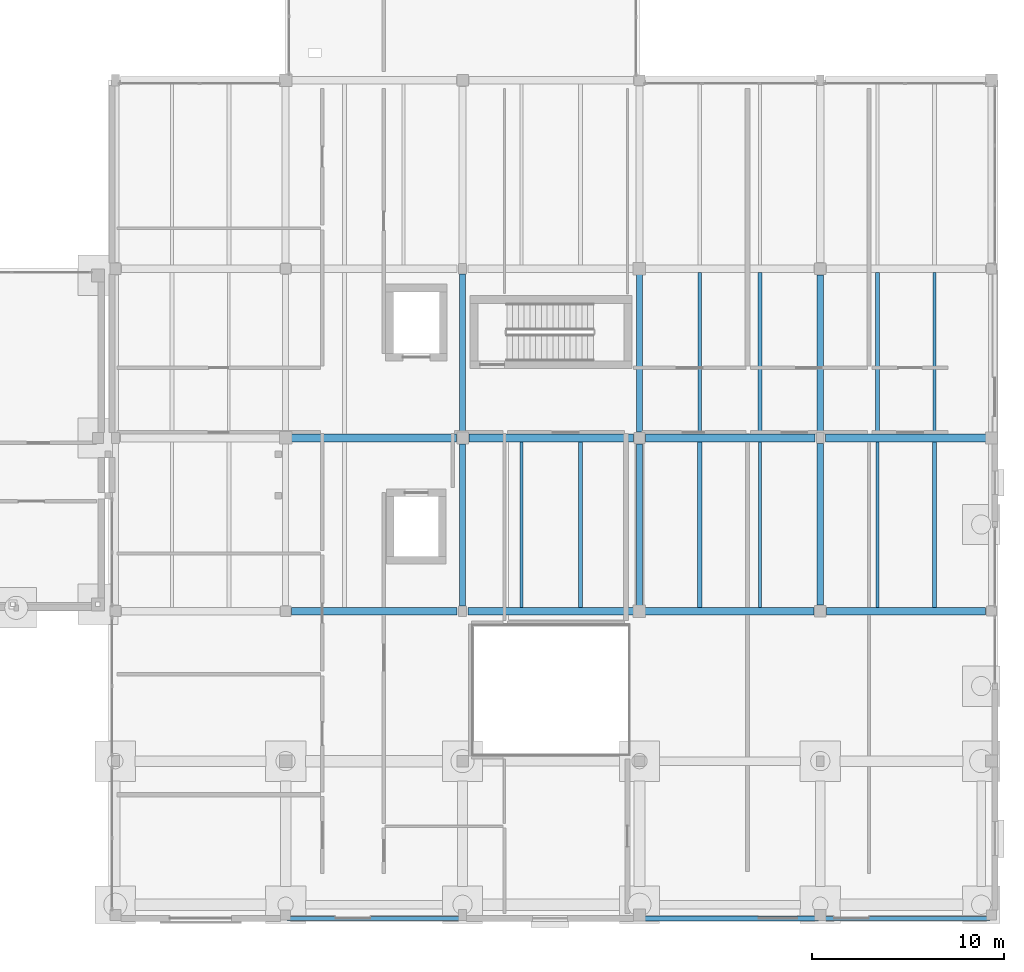
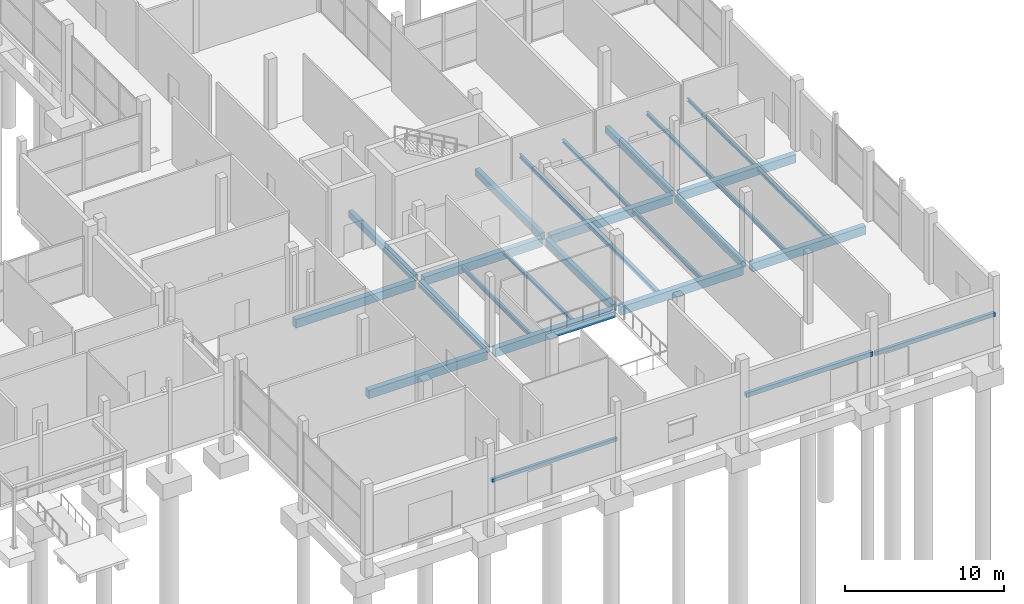
# One storey, part 40 of 88: 27 beams.
"""IFC4 building model written with IfcOpenShell, lengths in metres."""

from ifc_helpers import new_model, si_unit, direction, frame, origin, origin_2d, place, context, subcontext, project, spatial, rectangle, i_section, extrude, material, material_profile, profile_set, type_object, element, save


model = new_model("IFC4")

# Units and contexts
model_context = context("Model", 3, precision=1e-05, world=origin(), true_north=direction((0.0, 1.0)))
body_context = subcontext(model_context, "Body", "Model", "MODEL_VIEW")
ifc_project = project(units=[si_unit("LENGTHUNIT", "METRE"), si_unit("AREAUNIT", "SQUARE_METRE"), si_unit("VOLUMEUNIT", "CUBIC_METRE"), si_unit("PLANEANGLEUNIT", "RADIAN"), si_unit("MASSUNIT", "GRAM", prefix="KILO")], contexts=[model_context])

# Site, building, storey
site_placement = place(None, origin())
site = spatial("IfcSite", under=ifc_project, at=site_placement, CompositionType="ELEMENT")
building_placement = place(site_placement, origin())
building = spatial("IfcBuilding", under=site, at=building_placement, Name="Birchvale Park Specialist Clinic", CompositionType="ELEMENT")
storey_placement = place(building_placement, origin())
storey = spatial("IfcBuildingStorey", under=building, at=storey_placement, Name="L00", CompositionType="ELEMENT", Elevation=0.0)

# Beams
ifc_material_1 = material(Name="Concrete C40/50", Category="concrete")
ifc_material_profile_1 = material_profile(ifc_material_1, rectangle(XDim=0.320068359375, YDim=0.5400390625, at=origin_2d()), Name="RCB-320x540")
ifc_profile_set_1 = profile_set([ifc_material_profile_1], Name="Concrete C40/50")
beam_type_1 = type_object("IfcBeamType", Name="BM-EXT-BG7", PredefinedType="BEAM", material=ifc_profile_set_1)
beam_1_placement = place(storey_placement, frame((146.39990234375, 17.074951171875, -0.570068359375), z_axis=(0.0, 1.0, 0.0), x_axis=(-1.0, 0.0, 0.0)))
element("IfcBeam", 1, at=beam_1_placement, inside=storey, type_object=beam_type_1, Name="V5 L00 Y girder 30", PredefinedType="BEAM", context=body_context, shape_type="SweptSolid", body=[
    extrude(rectangle(XDim=0.320068359375, YDim=0.5400390625, at=origin_2d()), origin(), (0.0, 0.0, 1.0), 8.425048828125),
])
beam_2_placement = place(storey_placement, frame((146.39990234375, 26.10009765625, -0.570068359375), z_axis=(0.0, 1.0, 0.0), x_axis=(-1.0, 0.0, 0.0)))
element("IfcBeam", 2, at=beam_2_placement, inside=storey, type_object=beam_type_1, Name="V5 L00 Y girder 31", PredefinedType="BEAM", context=body_context, shape_type="SweptSolid", body=[
    extrude(rectangle(XDim=0.320068359375, YDim=0.5400390625, at=origin_2d()), origin(), (0.0, 0.0, 1.0), 8.224853515625),
])
ifc_material_profile_2 = material_profile(ifc_material_1, rectangle(XDim=0.39990234375, YDim=0.64990234375, at=origin_2d()), Name="RCB-400x650")
ifc_profile_set_2 = profile_set([ifc_material_profile_2], Name="Concrete C40/50")
beam_type_2 = type_object("IfcBeamType", Name="BM-INT-BG4", PredefinedType="BEAM", material=ifc_profile_set_2)
beam_3_placement = place(storey_placement, frame((128.300048828125, 16.800048828125, -0.625), z_axis=(1.0, 0.0, 0.0), x_axis=(0.0, 1.0, 0.0)))
element("IfcBeam", 3, at=beam_3_placement, inside=storey, type_object=beam_type_2, Name="V5 L00 X girder 2", PredefinedType="BEAM", context=body_context, shape_type="SweptSolid", body=[
    extrude(rectangle(XDim=0.39990234375, YDim=0.64990234375, at=origin_2d()), origin(), (0.0, 0.0, 1.0), 8.625),
])
beam_4_placement = place(storey_placement, frame((137.47509765625, 16.800048828125, -0.625), z_axis=(1.0, 0.0, 0.0), x_axis=(0.0, 1.0, 0.0)))
element("IfcBeam", 4, at=beam_4_placement, inside=storey, type_object=beam_type_2, Name="V5 L00 X girder 3", PredefinedType="BEAM", context=body_context, shape_type="SweptSolid", body=[
    extrude(rectangle(XDim=0.39990234375, YDim=0.64990234375, at=origin_2d()), origin(), (0.0, 0.0, 1.0), 8.724853515625),
])
beam_5_placement = place(storey_placement, frame((146.60009765625, 16.800048828125, -0.625), z_axis=(1.0, 0.0, 0.0), x_axis=(0.0, 1.0, 0.0)))
element("IfcBeam", 5, at=beam_5_placement, inside=storey, type_object=beam_type_2, Name="V5 L00 X girder 4", PredefinedType="BEAM", context=body_context, shape_type="SweptSolid", body=[
    extrude(rectangle(XDim=0.39990234375, YDim=0.64990234375, at=origin_2d()), origin(), (0.0, 0.0, 1.0), 8.875),
])
beam_6_placement = place(storey_placement, frame((156.125, 16.800048828125, -0.625), z_axis=(1.0, 0.0, 0.0), x_axis=(0.0, 1.0, 0.0)))
element("IfcBeam", 6, at=beam_6_placement, inside=storey, type_object=beam_type_2, Name="V5 L00 X girder 5", PredefinedType="BEAM", context=body_context, shape_type="SweptSolid", body=[
    extrude(rectangle(XDim=0.39990234375, YDim=0.64990234375, at=origin_2d()), origin(), (0.0, 0.0, 1.0), 8.27490234375),
])
beam_7_placement = place(storey_placement, frame((128.199951171875, 25.800048828125, -0.625), z_axis=(1.0, 0.0, 0.0), x_axis=(0.0, 1.0, 0.0)))
element("IfcBeam", 7, at=beam_7_placement, inside=storey, type_object=beam_type_2, Name="V5 L00 X girder 7", PredefinedType="BEAM", context=body_context, shape_type="SweptSolid", body=[
    extrude(rectangle(XDim=0.39990234375, YDim=0.64990234375, at=origin_2d()), origin(), (0.0, 0.0, 1.0), 8.675048828125),
])
beam_8_placement = place(storey_placement, frame((137.52490234375, 25.800048828125, -0.625), z_axis=(1.0, 0.0, 0.0), x_axis=(0.0, 1.0, 0.0)))
element("IfcBeam", 8, at=beam_8_placement, inside=storey, type_object=beam_type_2, Name="V5 L00 X girder 8", PredefinedType="BEAM", context=body_context, shape_type="SweptSolid", body=[
    extrude(rectangle(XDim=0.39990234375, YDim=0.64990234375, at=origin_2d()), origin(), (0.0, 0.0, 1.0), 8.5751953125),
])
beam_9_placement = place(storey_placement, frame((146.699951171875, 25.800048828125, -0.625), z_axis=(1.0, 0.0, 0.0), x_axis=(0.0, 1.0, 0.0)))
element("IfcBeam", 9, at=beam_9_placement, inside=storey, type_object=beam_type_2, Name="V5 L00 X girder 9", PredefinedType="BEAM", context=body_context, shape_type="SweptSolid", body=[
    extrude(rectangle(XDim=0.39990234375, YDim=0.64990234375, at=origin_2d()), origin(), (0.0, 0.0, 1.0), 8.824951171875),
])
beam_10_placement = place(storey_placement, frame((156.074951171875, 25.800048828125, -0.625), z_axis=(1.0, 0.0, 0.0), x_axis=(0.0, 1.0, 0.0)))
element("IfcBeam", 10, at=beam_10_placement, inside=storey, type_object=beam_type_2, Name="V5 L00 X girder 10", PredefinedType="BEAM", context=body_context, shape_type="SweptSolid", body=[
    extrude(rectangle(XDim=0.39990234375, YDim=0.64990234375, at=origin_2d()), origin(), (0.0, 0.0, 1.0), 8.425048828125),
])
ifc_material_profile_3 = material_profile(ifc_material_1, rectangle(XDim=0.320068359375, YDim=0.5, at=origin_2d()), Name="RCB-320x500")
ifc_profile_set_3 = profile_set([ifc_material_profile_3], Name="Concrete C40/50")
beam_type_3 = type_object("IfcBeamType", Name="BM-INT-BG7", PredefinedType="BEAM", material=ifc_profile_set_3)
beam_11_placement = place(storey_placement, frame((137.199951171875, 17.074951171875, -0.550048828125), z_axis=(0.0, 1.0, 0.0), x_axis=(-1.0, 0.0, 0.0)))
element("IfcBeam", 11, at=beam_11_placement, inside=storey, type_object=beam_type_3, Name="V5 L00 Y girder 27", PredefinedType="BEAM", context=body_context, shape_type="SweptSolid", body=[
    extrude(rectangle(XDim=0.320068359375, YDim=0.5, at=origin_2d()), origin(), (0.0, 0.0, 1.0), 8.400146484375),
])
beam_12_placement = place(storey_placement, frame((137.199951171875, 26.125, -0.550048828125), z_axis=(0.0, 1.0, 0.0), x_axis=(-1.0, 0.0, 0.0)))
element("IfcBeam", 12, at=beam_12_placement, inside=storey, type_object=beam_type_3, Name="V5 L00 Y girder 28", PredefinedType="BEAM", context=body_context, shape_type="SweptSolid", body=[
    extrude(rectangle(XDim=0.320068359375, YDim=0.5, at=origin_2d()), origin(), (0.0, 0.0, 1.0), 8.199951171875),
])
beam_13_placement = place(storey_placement, frame((155.800048828125, 17.125, -0.550048828125), z_axis=(0.0, 1.0, 0.0), x_axis=(-1.0, 0.0, 0.0)))
element("IfcBeam", 13, at=beam_13_placement, inside=storey, type_object=beam_type_3, Name="V5 L00 Y girder 33", PredefinedType="BEAM", context=body_context, shape_type="SweptSolid", body=[
    extrude(rectangle(XDim=0.320068359375, YDim=0.5, at=origin_2d()), origin(), (0.0, 0.0, 1.0), 8.39990234375),
])
beam_14_placement = place(storey_placement, frame((155.800048828125, 26.074951171875, -0.550048828125), z_axis=(0.0, 1.0, 0.0), x_axis=(-1.0, 0.0, 0.0)))
element("IfcBeam", 14, at=beam_14_placement, inside=storey, type_object=beam_type_3, Name="V5 L00 Y girder 34", PredefinedType="BEAM", context=body_context, shape_type="SweptSolid", body=[
    extrude(rectangle(XDim=0.320068359375, YDim=0.5, at=origin_2d()), origin(), (0.0, 0.0, 1.0), 8.199951171875),
])
ifc_material_profile_4 = material_profile(ifc_material_1, rectangle(XDim=0.25, YDim=0.340087890625, at=origin_2d()), Name="LNT-250x340")
ifc_profile_set_4 = profile_set([ifc_material_profile_4], Name="Concrete C40/50")
beam_type_4 = type_object("IfcBeamType", Name="LNT-EXT-LN1", PredefinedType="LINTEL", material=ifc_profile_set_4)
beam_15_placement = place(storey_placement, frame((146.530029296875, 0.824951171875, 2.570068359375), z_axis=(1.0, 0.0, 0.0), x_axis=(0.0, 1.0, 0.0)))
element("IfcBeam", 15, at=beam_15_placement, inside=storey, type_object=beam_type_4, Name="V5 L00 exit opening lintel 20", PredefinedType="LINTEL", context=body_context, shape_type="SweptSolid", body=[
    extrude(rectangle(XDim=0.25, YDim=0.340087890625, at=origin_2d()), origin(), (0.0, 0.0, 1.0), 9.1650390625),
])
ifc_material_profile_5 = material_profile(ifc_material_1, rectangle(XDim=0.219970703125, YDim=0.300048828125, at=origin_2d()), Name="LNT-220x300")
ifc_profile_set_5 = profile_set([ifc_material_profile_5], Name="Concrete C40/50")
beam_type_5 = type_object("IfcBeamType", Name="LNT-EXT-LN2", PredefinedType="LINTEL", material=ifc_profile_set_5)
beam_16_placement = place(storey_placement, frame((155.905029296875, 0.824951171875, 2.469970703125), z_axis=(1.0, 0.0, 0.0), x_axis=(0.0, 1.0, 0.0)))
element("IfcBeam", 16, at=beam_16_placement, inside=storey, type_object=beam_type_5, Name="V5 L00 exit opening lintel 21", PredefinedType="LINTEL", context=body_context, shape_type="SweptSolid", body=[
    extrude(rectangle(XDim=0.219970703125, YDim=0.300048828125, at=origin_2d()), origin(), (0.0, 0.0, 1.0), 8.715087890625),
])
ifc_material_profile_6 = material_profile(ifc_material_1, rectangle(XDim=0.199951171875, YDim=0.260009765625, at=origin_2d()), Name="LNT-200x260")
ifc_profile_set_6 = profile_set([ifc_material_profile_6], Name="Concrete C40/50")
beam_type_6 = type_object("IfcBeamType", Name="LNT-EXT-LN3", PredefinedType="LINTEL", material=ifc_profile_set_6)
beam_17_placement = place(storey_placement, frame((128.080078125, 0.824951171875, 2.469970703125), z_axis=(1.0, 0.0, 0.0), x_axis=(0.0, 1.0, 0.0)))
element("IfcBeam", 17, at=beam_17_placement, inside=storey, type_object=beam_type_6, Name="V5 L00 exit opening lintel 19", PredefinedType="LINTEL", context=body_context, shape_type="SweptSolid", body=[
    extrude(rectangle(XDim=0.199951171875, YDim=0.260009765625, at=origin_2d()), origin(), (0.0, 0.0, 1.0), 9.094970703125),
])
ifc_material_2 = material(Name="Steel ASTM A992 Grade 50", Category="steel")
ifc_material_profile_7 = material_profile(ifc_material_2, i_section(OverallWidth=0.25390625, OverallDepth=0.305908203125, WebThickness=0.0087890625, FlangeThickness=0.0146484375, at=origin_2d()), Name="W12X53")
ifc_profile_set_7 = profile_set([ifc_material_profile_7], Name="Steel ASTM A992 Grade 50")
beam_type_7 = type_object("IfcBeamType", Name="STL-INT-SJ2", PredefinedType="JOIST", material=ifc_profile_set_7)
beam_18_placement = place(storey_placement, frame((149.533203125, 17.0, -0.452880859375), z_axis=(0.0, 1.0, 0.0), x_axis=(-1.0, 0.0, 0.0)))
element("IfcBeam", 18, at=beam_18_placement, inside=storey, type_object=beam_type_7, Name="V5 L00 secondary floor joist 15", PredefinedType="JOIST", context=body_context, shape_type="SweptSolid", body=[
    extrude(i_section(OverallWidth=0.25390625, OverallDepth=0.305908203125, WebThickness=0.0087890625, FlangeThickness=0.0146484375, at=origin_2d()), origin(), (0.0, 0.0, 1.0), 8.60009765625),
])
ifc_material_profile_8 = material_profile(ifc_material_2, i_section(OverallWidth=0.1669921875, OverallDepth=0.31689453125, WebThickness=0.007568359375, FlangeThickness=0.01318359375, at=origin_2d()), Name="W12X35")
ifc_profile_set_8 = profile_set([ifc_material_profile_8], Name="Steel ASTM A992 Grade 50")
beam_type_8 = type_object("IfcBeamType", Name="STL-INT-SJ3", PredefinedType="JOIST", material=ifc_profile_set_8)
for number, where, z_axis, x_axis, name in (
    (19, (140.2666015625, 17.0, -0.45849609375), (0.0, 1.0, 0.0), (-1.0, 0.0, 0.0), "V5 L00 secondary floor joist 11"),
    (20, (152.666748046875, 17.0, -0.45849609375), (0.0, 1.0, 0.0), (-1.0, 0.0, 0.0), "V5 L00 secondary floor joist 16"),
):
    element("IfcBeam", number, at=place(storey_placement, frame(where, z_axis=z_axis, x_axis=x_axis)), inside=storey, type_object=beam_type_8, Name=name, PredefinedType="JOIST", context=body_context, shape_type="SweptSolid", body=[
        extrude(i_section(OverallWidth=0.1669921875, OverallDepth=0.31689453125, WebThickness=0.007568359375, FlangeThickness=0.01318359375, at=origin_2d()), origin(), (0.0, 0.0, 1.0), 8.60009765625),
    ])
beam_19_placement = place(storey_placement, frame((149.533203125, 26.0, -0.45849609375), z_axis=(0.0, 1.0, 0.0), x_axis=(-1.0, 0.0, 0.0)))
element("IfcBeam", 21, at=beam_19_placement, inside=storey, type_object=beam_type_8, Name="V5 L00 secondary floor joist 17", PredefinedType="JOIST", context=body_context, shape_type="SweptSolid", body=[
    extrude(i_section(OverallWidth=0.1669921875, OverallDepth=0.31689453125, WebThickness=0.007568359375, FlangeThickness=0.01318359375, at=origin_2d()), origin(), (0.0, 0.0, 1.0), 8.39990234375),
])
beam_20_placement = place(storey_placement, frame((158.7666015625, 17.0, -0.45849609375), z_axis=(0.0, 1.0, 0.0), x_axis=(-1.0, 0.0, 0.0)))
element("IfcBeam", 22, at=beam_20_placement, inside=storey, type_object=beam_type_8, Name="V5 L00 secondary floor joist 21", PredefinedType="JOIST", context=body_context, shape_type="SweptSolid", body=[
    extrude(i_section(OverallWidth=0.1669921875, OverallDepth=0.31689453125, WebThickness=0.007568359375, FlangeThickness=0.01318359375, at=origin_2d()), origin(), (0.0, 0.0, 1.0), 8.60009765625),
])
ifc_material_profile_9 = material_profile(ifc_material_2, i_section(OverallWidth=0.202880859375, OverallDepth=0.251953125, WebThickness=0.008056640625, FlangeThickness=0.013427734375, at=origin_2d()), Name="W10X39")
ifc_profile_set_9 = profile_set([ifc_material_profile_9], Name="Steel ASTM A992 Grade 50")
beam_type_9 = type_object("IfcBeamType", Name="STL-INT-SJ4", PredefinedType="JOIST", material=ifc_profile_set_9)
beam_21_placement = place(storey_placement, frame((143.333251953125, 17.0, -0.426025390625), z_axis=(0.0, 1.0, 0.0), x_axis=(-1.0, 0.0, 0.0)))
element("IfcBeam", 23, at=beam_21_placement, inside=storey, type_object=beam_type_9, Name="V5 L00 secondary floor joist 12", PredefinedType="JOIST", context=body_context, shape_type="SweptSolid", body=[
    extrude(i_section(OverallWidth=0.202880859375, OverallDepth=0.251953125, WebThickness=0.008056640625, FlangeThickness=0.013427734375, at=origin_2d()), origin(), (0.0, 0.0, 1.0), 8.60009765625),
])
beam_22_placement = place(storey_placement, frame((152.666748046875, 26.0, -0.426025390625), z_axis=(0.0, 1.0, 0.0), x_axis=(-1.0, 0.0, 0.0)))
element("IfcBeam", 24, at=beam_22_placement, inside=storey, type_object=beam_type_9, Name="V5 L00 secondary floor joist 18", PredefinedType="JOIST", context=body_context, shape_type="SweptSolid", body=[
    extrude(i_section(OverallWidth=0.202880859375, OverallDepth=0.251953125, WebThickness=0.008056640625, FlangeThickness=0.013427734375, at=origin_2d()), origin(), (0.0, 0.0, 1.0), 8.39990234375),
])
beam_23_placement = place(storey_placement, frame((161.7333984375, 17.0, -0.426025390625), z_axis=(0.0, 1.0, 0.0), x_axis=(-1.0, 0.0, 0.0)))
element("IfcBeam", 25, at=beam_23_placement, inside=storey, type_object=beam_type_9, Name="V5 L00 secondary floor joist 22", PredefinedType="JOIST", context=body_context, shape_type="SweptSolid", body=[
    extrude(i_section(OverallWidth=0.202880859375, OverallDepth=0.251953125, WebThickness=0.008056640625, FlangeThickness=0.013427734375, at=origin_2d()), origin(), (0.0, 0.0, 1.0), 8.60009765625),
])
beam_24_placement = place(storey_placement, frame((158.7666015625, 26.0, -0.426025390625), z_axis=(0.0, 1.0, 0.0), x_axis=(-1.0, 0.0, 0.0)))
element("IfcBeam", 26, at=beam_24_placement, inside=storey, type_object=beam_type_9, Name="V5 L00 secondary floor joist 23", PredefinedType="JOIST", context=body_context, shape_type="SweptSolid", body=[
    extrude(i_section(OverallWidth=0.202880859375, OverallDepth=0.251953125, WebThickness=0.008056640625, FlangeThickness=0.013427734375, at=origin_2d()), origin(), (0.0, 0.0, 1.0), 8.39990234375),
])
ifc_material_profile_10 = material_profile(ifc_material_2, i_section(OverallWidth=0.14697265625, OverallDepth=0.261962890625, WebThickness=0.006591796875, FlangeThickness=0.01123046875, at=origin_2d()), Name="W10X26")
ifc_profile_set_10 = profile_set([ifc_material_profile_10], Name="Steel ASTM A992 Grade 50")
beam_type_10 = type_object("IfcBeamType", Name="STL-INT-SJ5", PredefinedType="JOIST", material=ifc_profile_set_10)
beam_25_placement = place(storey_placement, frame((161.7333984375, 26.0, -0.430908203125), z_axis=(0.0, 1.0, 0.0), x_axis=(-1.0, 0.0, 0.0)))
element("IfcBeam", 27, at=beam_25_placement, inside=storey, type_object=beam_type_10, Name="V5 L00 secondary floor joist 24", PredefinedType="JOIST", context=body_context, shape_type="SweptSolid", body=[
    extrude(i_section(OverallWidth=0.14697265625, OverallDepth=0.261962890625, WebThickness=0.006591796875, FlangeThickness=0.01123046875, at=origin_2d()), origin(), (0.0, 0.0, 1.0), 8.39990234375),
])

save(model, "model.ifc")
